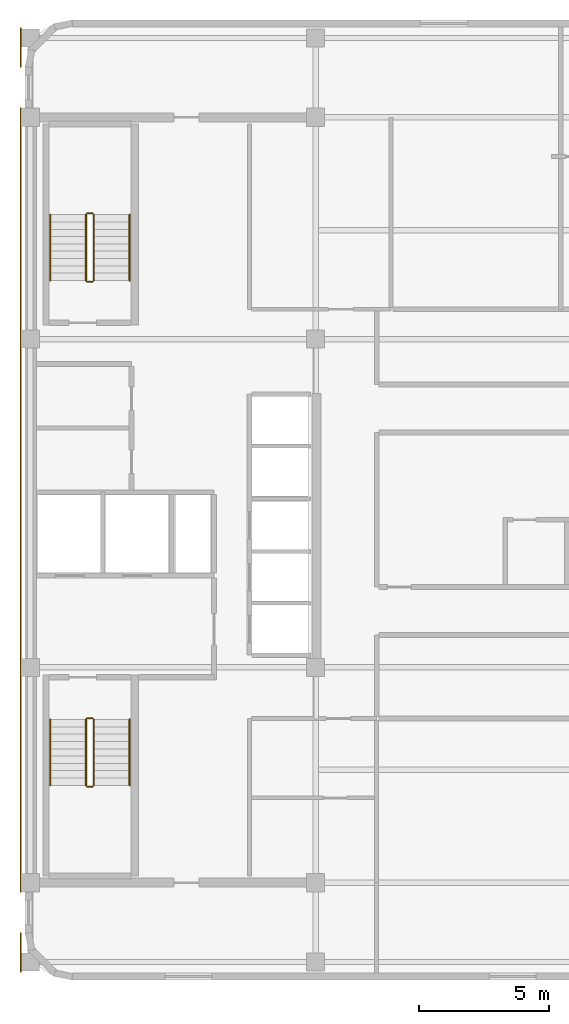
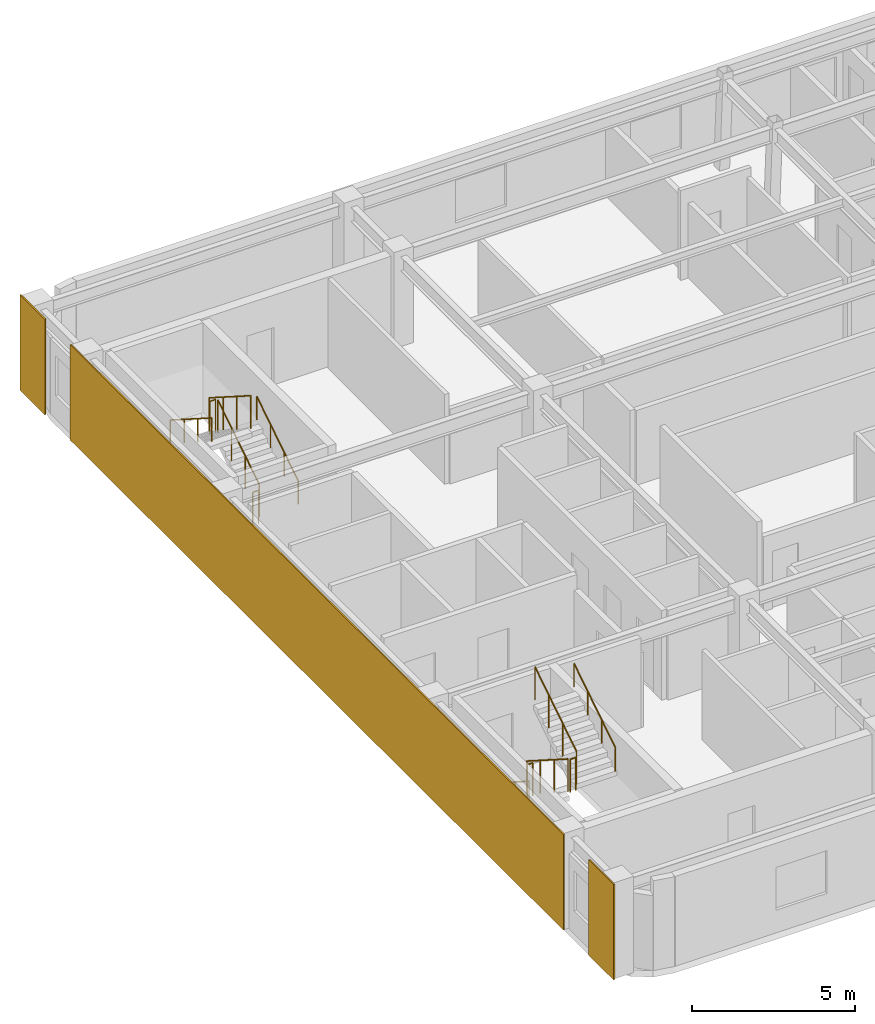
# One storey, part 7 of 7: 12 railings, 3 coverings.
"""IFC4 building model written with IfcOpenShell, lengths in metres."""

from ifc_helpers import new_model, si_unit, direction, frame, origin, origin_2d, place, context, subcontext, project, spatial, rectangle, circle, extrude, material, layer, layer_set, type_object, element, save


model = new_model("IFC4")

# Units and contexts
model_context = context("Model", 3, precision=1e-05, world=origin(), true_north=direction((0.0, 1.0)))
body_context = subcontext(model_context, "Body", "Model", "MODEL_VIEW")
ifc_project = project(units=[si_unit("LENGTHUNIT", "METRE"), si_unit("AREAUNIT", "SQUARE_METRE"), si_unit("VOLUMEUNIT", "CUBIC_METRE"), si_unit("PLANEANGLEUNIT", "RADIAN"), si_unit("MASSUNIT", "GRAM", prefix="KILO")], contexts=[model_context])

# Site, building, storey
site_placement = place(None, origin())
site = spatial("IfcSite", under=ifc_project, at=site_placement, CompositionType="ELEMENT")
building_placement = place(site_placement, origin())
building = spatial("IfcBuilding", under=site, at=building_placement, Name="Ochreholt Gables", CompositionType="ELEMENT")
storey_placement = place(building_placement, frame((0.0, 0.0, 242.39990234375)))
storey = spatial("IfcBuildingStorey", under=building, at=storey_placement, Name="L63", CompositionType="ELEMENT", Elevation=242.39990234375)

# Coverings
ifc_material_1 = material(Name="Glazed Ochre Terracotta Rainscreen Cladding", Category="masonry")
ifc_layer = layer(ifc_material_1, 0.044921875, Name="Glazed Ochre Terracotta Rainscreen Cladding")
ifc_layer_set = layer_set([ifc_layer], Name="Glazed Ochre Terracotta Rainscreen Cladding")
covering_type = type_object("IfcCoveringType", Name="COV-CLAD-TC", PredefinedType="CLADDING", material=ifc_layer_set)
covering_placement = place(storey_placement, frame((23.827880859375, 24.0, 0.010009765625), z_axis=(0.0, 0.0, 1.0), x_axis=(0.0, 1.0, 0.0)))
element("IfcCovering", 1, at=covering_placement, inside=storey, type_object=covering_type, Name="L63 West Core Terracotta Rainscreen Cladding", PredefinedType="CLADDING", context=body_context, shape_type="SweptSolid", body=[
    extrude(rectangle(XDim=30.239990234375, YDim=0.044921875, at=origin_2d()), origin(), (0.0, 0.0, 1.0), 3.580078125),
])
for number, where, z_axis, x_axis, name in (
    (2, (23.827880859375, 6.56005859375, 0.010009765625), (0.0, 0.0, 1.0), (0.0, 1.0, 0.0), "L63 South-West Pier Terracotta Cladding"),
    (3, (23.827880859375, 41.43994140625, 0.010009765625), (0.0, 0.0, 1.0), (0.0, 1.0, 0.0), "L63 North-West Pier Terracotta Cladding"),
):
    element("IfcCovering", number, at=place(storey_placement, frame(where, z_axis=z_axis, x_axis=x_axis)), inside=storey, type_object=covering_type, Name=name, PredefinedType="CLADDING", context=body_context, shape_type="SweptSolid", body=[
        extrude(rectangle(XDim=1.52001953125, YDim=0.044921875, at=origin_2d()), origin(), (0.0, 0.0, 1.0), 3.580078125),
    ])

# Railings
ifc_material_2 = material(Name="Painted Steel Stair Guardrail", Category="steel")
railing_type_1 = type_object("IfcRailingType", Name="RL-ST-GUARD", PredefinedType="GUARDRAIL", material=ifc_material_2)
railing_1_placement = place(storey_placement, frame((26.35009765625, 15.5400390625, 0.18017578125)))
element("IfcRailing", 4, at=railing_1_placement, inside=storey, type_object=railing_type_1, Name="L63 ST-1 stair guard 1", PredefinedType="GUARDRAIL", context=body_context, shape_type="SweptSolid", body=[
    extrude(circle(Radius=0.02392578125, at=origin_2d()), frame((0.0, 0.0, 1.22607421875), z_axis=(0.0, -0.842949592929, 0.537992549931), x_axis=(1.0, 0.0, 0.0)), (0.0, 0.0, 1.0), 3.010986328125),
    extrude(circle(Radius=0.02099609375, at=origin_2d()), origin(), (0.0, 0.0, 1.0), 1.201904296875),
    extrude(circle(Radius=0.02099609375, at=origin_2d()), frame((0.0, -0.845947265625, 0.5400390625)), (0.0, 0.0, 1.0), 1.201904296875),
    extrude(circle(Radius=0.02099609375, at=origin_2d()), frame((0.0, -1.692138671875, 1.079833984375)), (0.0, 0.0, 1.0), 1.201904296875),
    extrude(circle(Radius=0.02099609375, at=origin_2d()), frame((0.0, -2.5380859375, 1.619873046875)), (0.0, 0.0, 1.0), 1.201904296875),
])
railing_2_placement = place(storey_placement, frame((26.39990234375, 12.951904296875, 1.800048828125)))
element("IfcRailing", 5, at=railing_2_placement, inside=storey, type_object=railing_type_1, Name="L63 ST-1 stair guard 2", PredefinedType="GUARDRAIL", context=body_context, shape_type="SweptSolid", body=[
    extrude(circle(Radius=0.02392578125, at=origin_2d()), frame((0.0, 0.0, 1.22607421875), z_axis=(1.0, 0.0, 0.0), x_axis=(0.0, 1.0, 0.0)), (0.0, 0.0, 1.0), 0.2001953125),
    extrude(circle(Radius=0.02099609375, at=origin_2d()), origin(), (0.0, 0.0, 1.0), 1.201904296875),
    extrude(circle(Radius=0.02099609375, at=origin_2d()), frame((0.2001953125, 0.0, 0.0)), (0.0, 0.0, 1.0), 1.201904296875),
])
railing_3_placement = place(storey_placement, frame((26.64990234375, 13.001953125, 1.97998046875)))
element("IfcRailing", 6, at=railing_3_placement, inside=storey, type_object=railing_type_1, Name="L63 ST-1 stair guard 3", PredefinedType="GUARDRAIL", context=body_context, shape_type="SweptSolid", body=[
    extrude(circle(Radius=0.02392578125, at=origin_2d()), frame((0.0, 0.0, 1.22607421875), z_axis=(0.0, 0.842912820907, 0.538050161556), x_axis=(-1.0, 0.0, 0.0)), (0.0, 0.0, 1.0), 3.010986328125),
    extrude(circle(Radius=0.02099609375, at=origin_2d()), origin(), (0.0, 0.0, 1.0), 1.201904296875),
    extrude(circle(Radius=0.02099609375, at=origin_2d()), frame((0.0, 0.845947265625, 0.5400390625)), (0.0, 0.0, 1.0), 1.201904296875),
    extrude(circle(Radius=0.02099609375, at=origin_2d()), frame((0.0, 1.692138671875, 1.080078125)), (0.0, 0.0, 1.0), 1.201904296875),
    extrude(circle(Radius=0.02099609375, at=origin_2d()), frame((0.0, 2.5380859375, 1.6201171875)), (0.0, 0.0, 1.0), 1.201904296875),
])
railing_4_placement = place(storey_placement, frame((26.39990234375, 15.590087890625, 0.0)))
element("IfcRailing", 7, at=railing_4_placement, inside=storey, type_object=railing_type_1, Name="L63 ST-1 stair guard 4", PredefinedType="GUARDRAIL", context=body_context, shape_type="SweptSolid", body=[
    extrude(circle(Radius=0.02392578125, at=origin_2d()), frame((0.0, 0.0, 1.22607421875), z_axis=(1.0, 0.0, 0.0), x_axis=(0.0, 1.0, 0.0)), (0.0, 0.0, 1.0), 0.2001953125),
    extrude(circle(Radius=0.02099609375, at=origin_2d()), origin(), (0.0, 0.0, 1.0), 1.201904296875),
    extrude(circle(Radius=0.02099609375, at=origin_2d()), frame((0.2001953125, 0.0, 0.0)), (0.0, 0.0, 1.0), 1.201904296875),
])
railing_5_placement = place(storey_placement, frame((26.64990234375, 32.4599609375, 0.18017578125)))
element("IfcRailing", 8, at=railing_5_placement, inside=storey, type_object=railing_type_1, Name="L63 ST-2 stair guard 1", PredefinedType="GUARDRAIL", context=body_context, shape_type="SweptSolid", body=[
    extrude(circle(Radius=0.02392578125, at=origin_2d()), frame((0.0, 0.0, 1.22607421875), z_axis=(0.0, 0.842949592929, 0.537992549931), x_axis=(-1.0, 0.0, 0.0)), (0.0, 0.0, 1.0), 3.010986328125),
    extrude(circle(Radius=0.02099609375, at=origin_2d()), origin(), (0.0, 0.0, 1.0), 1.201904296875),
    extrude(circle(Radius=0.02099609375, at=origin_2d()), frame((0.0, 0.845947265625, 0.5400390625)), (0.0, 0.0, 1.0), 1.201904296875),
    extrude(circle(Radius=0.02099609375, at=origin_2d()), frame((0.0, 1.692138671875, 1.079833984375)), (0.0, 0.0, 1.0), 1.201904296875),
    extrude(circle(Radius=0.02099609375, at=origin_2d()), frame((0.0, 2.5380859375, 1.619873046875)), (0.0, 0.0, 1.0), 1.201904296875),
])
railing_6_placement = place(storey_placement, frame((26.60009765625, 35.048095703125, 1.800048828125)))
element("IfcRailing", 9, at=railing_6_placement, inside=storey, type_object=railing_type_1, Name="L63 ST-2 stair guard 2", PredefinedType="GUARDRAIL", context=body_context, shape_type="SweptSolid", body=[
    extrude(circle(Radius=0.02392578125, at=origin_2d()), frame((0.0, 0.0, 1.22607421875), z_axis=(-1.0, 0.0, 0.0), x_axis=(0.0, -1.0, 0.0)), (0.0, 0.0, 1.0), 0.2001953125),
    extrude(circle(Radius=0.02099609375, at=origin_2d()), origin(), (0.0, 0.0, 1.0), 1.201904296875),
    extrude(circle(Radius=0.02099609375, at=origin_2d()), frame((-0.2001953125, 0.0, 0.0)), (0.0, 0.0, 1.0), 1.201904296875),
])
railing_7_placement = place(storey_placement, frame((26.35009765625, 34.998046875, 1.97998046875)))
element("IfcRailing", 10, at=railing_7_placement, inside=storey, type_object=railing_type_1, Name="L63 ST-2 stair guard 3", PredefinedType="GUARDRAIL", context=body_context, shape_type="SweptSolid", body=[
    extrude(circle(Radius=0.02392578125, at=origin_2d()), frame((0.0, 0.0, 1.22607421875), z_axis=(0.0, -0.842912820907, 0.538050161556), x_axis=(1.0, 0.0, 0.0)), (0.0, 0.0, 1.0), 3.010986328125),
    extrude(circle(Radius=0.02099609375, at=origin_2d()), origin(), (0.0, 0.0, 1.0), 1.201904296875),
    extrude(circle(Radius=0.02099609375, at=origin_2d()), frame((0.0, -0.845947265625, 0.5400390625)), (0.0, 0.0, 1.0), 1.201904296875),
    extrude(circle(Radius=0.02099609375, at=origin_2d()), frame((0.0, -1.692138671875, 1.080078125)), (0.0, 0.0, 1.0), 1.201904296875),
    extrude(circle(Radius=0.02099609375, at=origin_2d()), frame((0.0, -2.5380859375, 1.6201171875)), (0.0, 0.0, 1.0), 1.201904296875),
])
railing_8_placement = place(storey_placement, frame((26.60009765625, 32.409912109375, 0.0)))
element("IfcRailing", 11, at=railing_8_placement, inside=storey, type_object=railing_type_1, Name="L63 ST-2 stair guard 4", PredefinedType="GUARDRAIL", context=body_context, shape_type="SweptSolid", body=[
    extrude(circle(Radius=0.02392578125, at=origin_2d()), frame((0.0, 0.0, 1.22607421875), z_axis=(-1.0, 0.0, 0.0), x_axis=(0.0, -1.0, 0.0)), (0.0, 0.0, 1.0), 0.2001953125),
    extrude(circle(Radius=0.02099609375, at=origin_2d()), origin(), (0.0, 0.0, 1.0), 1.201904296875),
    extrude(circle(Radius=0.02099609375, at=origin_2d()), frame((-0.2001953125, 0.0, 0.0)), (0.0, 0.0, 1.0), 1.201904296875),
])
ifc_material_3 = material(Name="Brushed Stainless Steel Wall Handrail", Category="steel")
railing_type_2 = type_object("IfcRailingType", Name="RL-ST-HAND", PredefinedType="HANDRAIL", material=ifc_material_3)
railing_9_placement = place(storey_placement, frame((24.969970703125, 15.5400390625, 0.18017578125)))
element("IfcRailing", 12, at=railing_9_placement, inside=storey, type_object=railing_type_2, Name="L63 ST-1 stair handrail 1", PredefinedType="HANDRAIL", context=body_context, shape_type="SweptSolid", body=[
    extrude(circle(Radius=0.02392578125, at=origin_2d()), frame((0.0, 0.0, 0.8759765625), z_axis=(0.0, -0.842949592929, 0.537992549931), x_axis=(1.0, 0.0, 0.0)), (0.0, 0.0, 1.0), 3.010986328125),
    extrude(circle(Radius=0.02099609375, at=origin_2d()), origin(), (0.0, 0.0, 1.0), 0.851806640625),
    extrude(circle(Radius=0.02099609375, at=origin_2d()), frame((0.0, -0.845947265625, 0.5400390625)), (0.0, 0.0, 1.0), 0.851806640625),
    extrude(circle(Radius=0.02099609375, at=origin_2d()), frame((0.0, -1.692138671875, 1.079833984375)), (0.0, 0.0, 1.0), 0.851806640625),
    extrude(circle(Radius=0.02099609375, at=origin_2d()), frame((0.0, -2.5380859375, 1.619873046875)), (0.0, 0.0, 1.0), 0.851806640625),
])
railing_10_placement = place(storey_placement, frame((28.030029296875, 13.001953125, 1.97998046875)))
element("IfcRailing", 13, at=railing_10_placement, inside=storey, type_object=railing_type_2, Name="L63 ST-1 stair handrail 2", PredefinedType="HANDRAIL", context=body_context, shape_type="SweptSolid", body=[
    extrude(circle(Radius=0.02392578125, at=origin_2d()), frame((0.0, 0.0, 0.8759765625), z_axis=(0.0, 0.842912820907, 0.538050161556), x_axis=(-1.0, 0.0, 0.0)), (0.0, 0.0, 1.0), 3.010986328125),
    extrude(circle(Radius=0.02099609375, at=origin_2d()), origin(), (0.0, 0.0, 1.0), 0.851806640625),
    extrude(circle(Radius=0.02099609375, at=origin_2d()), frame((0.0, 0.845947265625, 0.5400390625)), (0.0, 0.0, 1.0), 0.851806640625),
    extrude(circle(Radius=0.02099609375, at=origin_2d()), frame((0.0, 1.692138671875, 1.080078125)), (0.0, 0.0, 1.0), 0.851806640625),
    extrude(circle(Radius=0.02099609375, at=origin_2d()), frame((0.0, 2.5380859375, 1.6201171875)), (0.0, 0.0, 1.0), 0.851806640625),
])
railing_11_placement = place(storey_placement, frame((28.030029296875, 32.4599609375, 0.18017578125)))
element("IfcRailing", 14, at=railing_11_placement, inside=storey, type_object=railing_type_2, Name="L63 ST-2 stair handrail 1", PredefinedType="HANDRAIL", context=body_context, shape_type="SweptSolid", body=[
    extrude(circle(Radius=0.02392578125, at=origin_2d()), frame((0.0, 0.0, 0.8759765625), z_axis=(0.0, 0.842949592929, 0.537992549931), x_axis=(-1.0, 0.0, 0.0)), (0.0, 0.0, 1.0), 3.010986328125),
    extrude(circle(Radius=0.02099609375, at=origin_2d()), origin(), (0.0, 0.0, 1.0), 0.851806640625),
    extrude(circle(Radius=0.02099609375, at=origin_2d()), frame((0.0, 0.845947265625, 0.5400390625)), (0.0, 0.0, 1.0), 0.851806640625),
    extrude(circle(Radius=0.02099609375, at=origin_2d()), frame((0.0, 1.692138671875, 1.079833984375)), (0.0, 0.0, 1.0), 0.851806640625),
    extrude(circle(Radius=0.02099609375, at=origin_2d()), frame((0.0, 2.5380859375, 1.619873046875)), (0.0, 0.0, 1.0), 0.851806640625),
])
railing_12_placement = place(storey_placement, frame((24.969970703125, 34.998046875, 1.97998046875)))
element("IfcRailing", 15, at=railing_12_placement, inside=storey, type_object=railing_type_2, Name="L63 ST-2 stair handrail 2", PredefinedType="HANDRAIL", context=body_context, shape_type="SweptSolid", body=[
    extrude(circle(Radius=0.02392578125, at=origin_2d()), frame((0.0, 0.0, 0.8759765625), z_axis=(0.0, -0.842912820907, 0.538050161556), x_axis=(1.0, 0.0, 0.0)), (0.0, 0.0, 1.0), 3.010986328125),
    extrude(circle(Radius=0.02099609375, at=origin_2d()), origin(), (0.0, 0.0, 1.0), 0.851806640625),
    extrude(circle(Radius=0.02099609375, at=origin_2d()), frame((0.0, -0.845947265625, 0.5400390625)), (0.0, 0.0, 1.0), 0.851806640625),
    extrude(circle(Radius=0.02099609375, at=origin_2d()), frame((0.0, -1.692138671875, 1.080078125)), (0.0, 0.0, 1.0), 0.851806640625),
    extrude(circle(Radius=0.02099609375, at=origin_2d()), frame((0.0, -2.5380859375, 1.6201171875)), (0.0, 0.0, 1.0), 0.851806640625),
])

save(model, "model.ifc")
